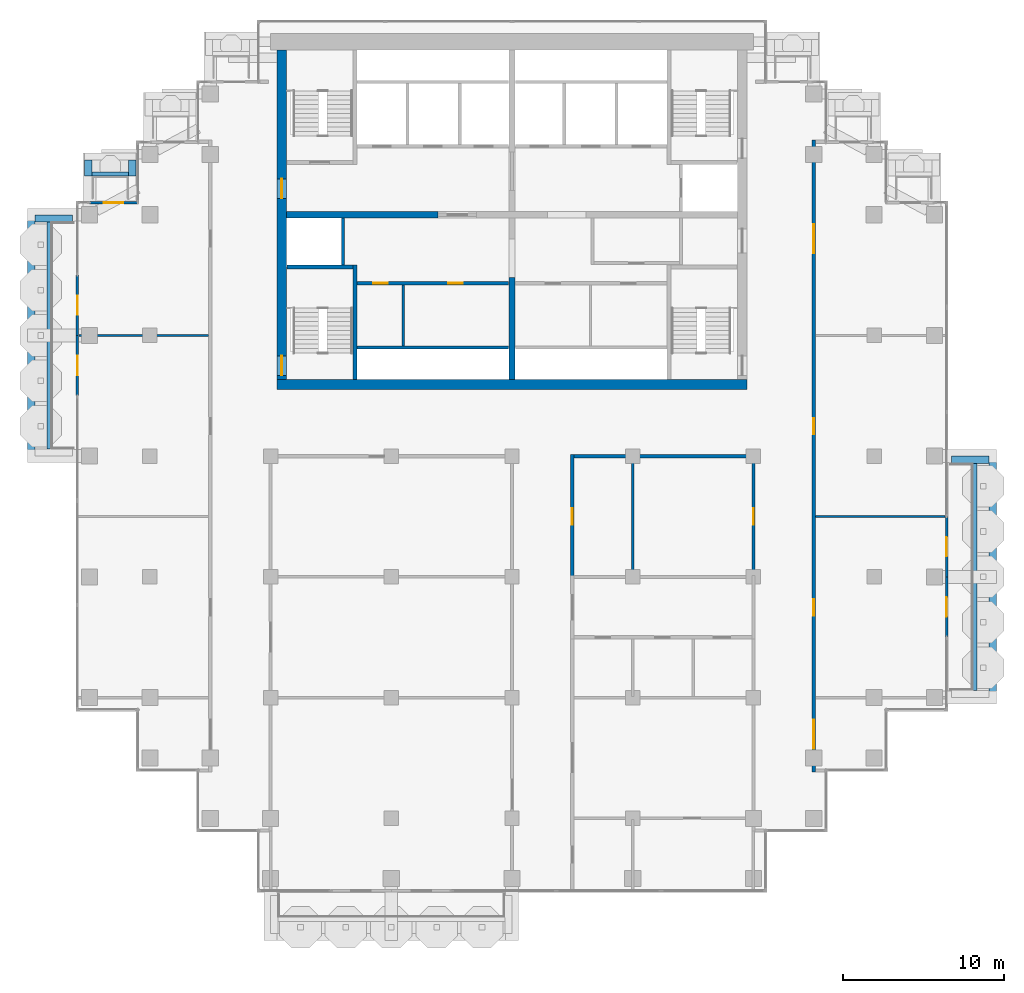
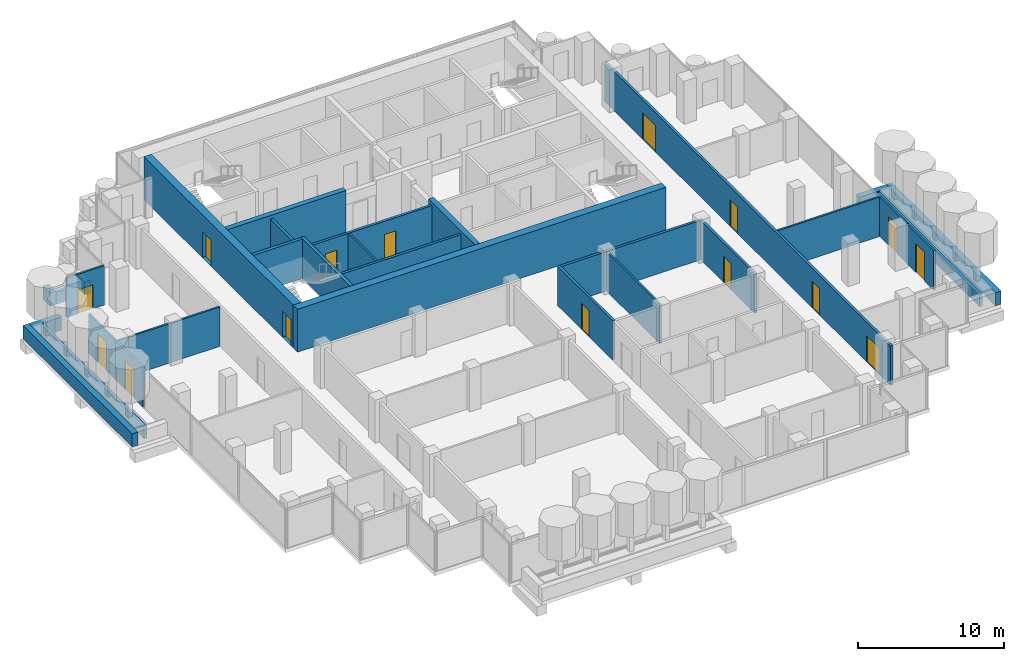
# One storey, part 12 of 18: 31 walls, 15 doors, 15 openings.
"""IFC4 building model written with IfcOpenShell, lengths in metres."""

from ifc_helpers import new_model, si_unit, direction, frame, frame_2d, origin, place, context, subcontext, project, spatial, rectangle, extrude, material, layer, layer_set, type_object, element, fill, save


model = new_model("IFC4")

# Units and contexts
model_context = context("Model", 3, precision=1e-05, world=origin(), true_north=direction((0.0, 1.0)))
body_context = subcontext(model_context, "Body", "Model", "MODEL_VIEW")
ifc_project = project(units=[si_unit("LENGTHUNIT", "METRE"), si_unit("AREAUNIT", "SQUARE_METRE"), si_unit("VOLUMEUNIT", "CUBIC_METRE"), si_unit("PLANEANGLEUNIT", "RADIAN"), si_unit("MASSUNIT", "GRAM", prefix="KILO")], contexts=[model_context])

# Site, building, storey
site_placement = place(None, origin())
site = spatial("IfcSite", under=ifc_project, at=site_placement, CompositionType="ELEMENT")
building_placement = place(site_placement, origin())
building = spatial("IfcBuilding", under=site, at=building_placement, Name="Pilkhan Gate Tower", CompositionType="ELEMENT")
storey_placement = place(building_placement, frame((0.0, 0.0, 221.10009765625)))
storey = spatial("IfcBuildingStorey", under=building, at=storey_placement, Name="L57", CompositionType="ELEMENT", Elevation=221.10009765625)

# Walls
ifc_material_1 = material(Name="Concrete C40/50", Category="concrete")
ifc_layer_1 = layer(ifc_material_1, 0.25)
ifc_layer_set_1 = layer_set([ifc_layer_1], Name="Balcony planter BP250")
wall_type_1 = type_object("IfcWallType", Name="Balcony planter BP250", PredefinedType="USERDEFINED", material=ifc_layer_set_1)
wall_1_placement = place(storey_placement, frame((103.77490234375, 52.949951171875, 0.0), z_axis=(0.0, 0.0, 1.0), x_axis=(0.0, 1.0, 0.0)))
element("IfcWall", 1, at=wall_1_placement, inside=storey, type_object=wall_type_1, Name="Balcony planter L57 E", ObjectType="BALCONY PLANTER", PredefinedType="USERDEFINED", context=body_context, shape_type="SweptSolid", body=[
    extrude(rectangle(XDim=14.10009765625, YDim=0.25, at=frame_2d((7.050048828125, 0.0))), origin(), (0.0, 0.0, 1.0), 1.0),
])
wall_2_placement = place(storey_placement, frame((48.89990234375, 85.02490234375, 0.0), z_axis=(0.0, 0.0, 1.0), x_axis=(1.0, 0.0, 0.0)))
element("IfcWall", 2, at=wall_2_placement, inside=storey, type_object=wall_type_1, Name="Balcony planter L57 N", ObjectType="BALCONY PLANTER", PredefinedType="USERDEFINED", context=body_context, shape_type="SweptSolid", body=[
    extrude(rectangle(XDim=2.280029296875, YDim=0.25, at=frame_2d((1.14013671875, 0.0))), origin(), (0.0, 0.0, 1.0), 1.0),
])
wall_3_placement = place(storey_placement, frame((46.22509765625, 67.949951171875, 0.0), z_axis=(0.0, 0.0, 1.0), x_axis=(0.0, 1.0, 0.0)))
element("IfcWall", 3, at=wall_3_placement, inside=storey, type_object=wall_type_1, Name="Balcony planter L57 W", ObjectType="BALCONY PLANTER", PredefinedType="USERDEFINED", context=body_context, shape_type="SweptSolid", body=[
    extrude(rectangle(XDim=14.10009765625, YDim=0.25, at=frame_2d((7.050048828125, 0.0))), origin(), (0.0, 0.0, 1.0), 1.0),
])
ifc_material_2 = material(Name="Board-marked Concrete C40/50", Category="concrete")
ifc_layer_2 = layer(ifc_material_2, 0.449951171875)
ifc_layer_set_2 = layer_set([ifc_layer_2], Name="Balcony planter lip BL450")
wall_type_2 = type_object("IfcWallType", Name="Balcony planter lip BL450", PredefinedType="USERDEFINED", material=ifc_layer_set_2)
wall_4_placement = place(storey_placement, frame((104.875, 52.5, 0.0), z_axis=(0.0, 0.0, 1.0), x_axis=(0.0, 1.0, 0.0)))
element("IfcWall", 4, at=wall_4_placement, inside=storey, type_object=wall_type_2, Name="Balcony planter L57 E", ObjectType="BALCONY PLANTER", PredefinedType="USERDEFINED", context=body_context, shape_type="SweptSolid", body=[
    extrude(rectangle(XDim=15.0, YDim=0.449951171875, at=frame_2d((7.5, 0.0))), origin(), (0.0, 0.0, 1.0), 1.099853515625),
])
wall_5_placement = place(storey_placement, frame((102.300048828125, 67.27490234375, 0.0), z_axis=(0.0, 0.0, 1.0), x_axis=(1.0, 0.0, 0.0)))
element("IfcWall", 5, at=wall_5_placement, inside=storey, type_object=wall_type_2, Name="Balcony planter L57 E", ObjectType="BALCONY PLANTER", PredefinedType="USERDEFINED", context=body_context, shape_type="SweptSolid", body=[
    extrude(rectangle(XDim=2.349853515625, YDim=0.449951171875, at=frame_2d((1.1748046875, 0.0))), origin(), (0.0, 0.0, 1.0), 1.099853515625),
])
for number, where, z_axis, x_axis, name in (
    (6, (48.675048828125, 84.89990234375, 0.0), (0.0, 0.0, 1.0), (0.0, 1.0, 0.0), "Balcony planter L57 N"),
    (7, (51.405029296875, 84.89990234375, 0.0), (0.0, 0.0, 1.0), (0.0, 1.0, 0.0), "Balcony planter L57 N"),
):
    element("IfcWall", number, at=place(storey_placement, frame(where, z_axis=z_axis, x_axis=x_axis)), inside=storey, type_object=wall_type_2, Name=name, ObjectType="BALCONY PLANTER", PredefinedType="USERDEFINED", context=body_context, shape_type="SweptSolid", body=[
        extrude(rectangle(XDim=1.0, YDim=0.449951171875, at=frame_2d((0.5, 0.0))), origin(), (0.0, 0.0, 1.0), 1.099853515625),
    ])
wall_6_placement = place(storey_placement, frame((45.125, 67.5, 0.0), z_axis=(0.0, 0.0, 1.0), x_axis=(0.0, 1.0, 0.0)))
element("IfcWall", 8, at=wall_6_placement, inside=storey, type_object=wall_type_2, Name="Balcony planter L57 W", ObjectType="BALCONY PLANTER", PredefinedType="USERDEFINED", context=body_context, shape_type="SweptSolid", body=[
    extrude(rectangle(XDim=15.0, YDim=0.449951171875, at=frame_2d((7.5, 0.0))), origin(), (0.0, 0.0, 1.0), 1.099853515625),
])
wall_7_placement = place(storey_placement, frame((47.699951171875, 82.27490234375, 0.0), z_axis=(0.0, 0.0, 1.0), x_axis=(-1.0, 0.0, 0.0)))
element("IfcWall", 9, at=wall_7_placement, inside=storey, type_object=wall_type_2, Name="Balcony planter L57 W", ObjectType="BALCONY PLANTER", PredefinedType="USERDEFINED", context=body_context, shape_type="SweptSolid", body=[
    extrude(rectangle(XDim=2.349853515625, YDim=0.449951171875, at=frame_2d((1.1748046875, 0.0))), origin(), (0.0, 0.0, 1.0), 1.099853515625),
])
ifc_material_3 = material(Name="Concrete C50/60", Category="concrete")
ifc_layer_3 = layer(ifc_material_3, 0.60009765625)
ifc_layer_set_3 = layer_set([ifc_layer_3], Name="Core wall CW600 C50/60")
wall_type_3 = type_object("IfcWallType", Name="Core wall CW600 C50/60", PredefinedType="SHEAR", material=ifc_layer_set_3)
wall_8_placement = place(storey_placement, frame((60.39990234375, 71.949951171875, 0.0), z_axis=(0.0, 0.0, 1.0), x_axis=(1.0, 0.0, 0.0)))
element("IfcWall", 10, at=wall_8_placement, inside=storey, type_object=wall_type_3, Name="Core wall S L57", PredefinedType="SHEAR", context=body_context, shape_type="SweptSolid", body=[
    extrude(rectangle(XDim=29.2001953125, YDim=0.60009765625, at=frame_2d((14.60009765625, 0.0))), origin(), (0.0, 0.0, 1.0), 3.599853515625),
])

# Wall, openings, doors
wall_9_placement = place(storey_placement, frame((60.699951171875, 92.75, 0.0), z_axis=(0.0, 0.0, 1.0), x_axis=(0.0, -1.0, 0.0)))
wall_9 = element("IfcWall", 11, at=wall_9_placement, inside=storey, type_object=wall_type_3, Name="Core wall W L57", PredefinedType="SHEAR", context=body_context, shape_type="SweptSolid", body=[
    extrude(rectangle(XDim=20.5, YDim=0.60009765625, at=frame_2d((10.25, 0.0))), origin(), (0.0, 0.0, 1.0), 3.599853515625),
])
opening_1_placement = place(wall_9_placement, frame((19.02490234375, 0.0, 0.0)))
opening_1 = element("IfcOpeningElement", 12, at=opening_1_placement, cuts=wall_9, Name="Opening L57-04", PredefinedType="OPENING", context=body_context, shape_type="SweptSolid", body=[
    extrude(rectangle(XDim=1.199951171875, YDim=2.199951171875, at=frame_2d((0.60009765625, 1.10009765625))), frame((0.0, 0.31005859375, 0.0), z_axis=(0.0, -1.0, 0.0), x_axis=(1.0, 0.0, 0.0)), (0.0, 0.0, 1.0), 0.6201171875),
])
opening_2_placement = place(wall_9_placement, frame((8.02490234375, 0.0, 0.0)))
opening_2 = element("IfcOpeningElement", 13, at=opening_2_placement, cuts=wall_9, Name="Opening L57-08", PredefinedType="OPENING", context=body_context, shape_type="SweptSolid", body=[
    extrude(rectangle(XDim=1.199951171875, YDim=2.199951171875, at=frame_2d((0.60009765625, 1.10009765625))), frame((0.0, 0.31005859375, 0.0), z_axis=(0.0, -1.0, 0.0), x_axis=(1.0, 0.0, 0.0)), (0.0, 0.0, 1.0), 0.6201171875),
])
ifc_material_4 = material(Name="Steel door, 120 minute fire resisting, self-closing", Category="steel")
door_type_1 = type_object("IfcDoorType", Name="Firefighting lobby door D10 1200x2200", OperationType="SINGLE_SWING_LEFT", PredefinedType="DOOR", material=ifc_material_4)
door_1_placement = place(opening_2_placement, origin())
door_1 = element("IfcDoor", 14, at=door_1_placement, inside=storey, type_object=door_type_1, Name="Core door", OperationType="SINGLE_SWING_LEFT", OverallHeight=2.199951171875, OverallWidth=1.199951171875, PredefinedType="DOOR", context=body_context, shape_type="SweptSolid", body=[
    extrude(rectangle(XDim=1.199951171875, YDim=2.199951171875, at=frame_2d((0.60009765625, 1.10009765625))), frame((0.0, 0.02490234375, 0.0), z_axis=(0.0, -1.0, 0.0), x_axis=(1.0, 0.0, 0.0)), (0.0, 0.0, 1.0), 0.050048828125),
])
fill(opening_2, door_1)
ifc_material_5 = material(Name="Steel door, 120 minute fire resisting, panic bar", Category="steel")
door_type_2 = type_object("IfcDoorType", Name="Stair door D11 1200x2200", OperationType="SINGLE_SWING_LEFT", PredefinedType="DOOR", material=ifc_material_5)
door_2_placement = place(opening_1_placement, origin())
door_2 = element("IfcDoor", 15, at=door_2_placement, inside=storey, type_object=door_type_2, Name="Stair ST2 door", OperationType="SINGLE_SWING_LEFT", OverallHeight=2.199951171875, OverallWidth=1.199951171875, PredefinedType="DOOR", context=body_context, shape_type="SweptSolid", body=[
    extrude(rectangle(XDim=1.199951171875, YDim=2.199951171875, at=frame_2d((0.60009765625, 1.10009765625))), frame((0.0, 0.02490234375, 0.0), z_axis=(0.0, -1.0, 0.0), x_axis=(1.0, 0.0, 0.0)), (0.0, 0.0, 1.0), 0.050048828125),
])
fill(opening_1, door_2)

# Wall
ifc_material_6 = material(Name="Dense blockwork", Category="masonry")
ifc_layer_4 = layer(ifc_material_6, 0.199951171875)
ifc_layer_set_4 = layer_set([ifc_layer_4], Name="Corridor wall FW200")
wall_type_4 = type_object("IfcWallType", Name="Corridor wall FW200", PredefinedType="PARTITIONING", material=ifc_layer_set_4)
wall_10_placement = place(storey_placement, frame((78.85009765625, 67.5, 0.0), z_axis=(0.0, 0.0, 1.0), x_axis=(1.0, 0.0, 0.0)))
element("IfcWall", 16, at=wall_10_placement, inside=storey, type_object=wall_type_4, Name="Partition L57", PredefinedType="PARTITIONING", context=body_context, shape_type="SweptSolid", body=[
    extrude(rectangle(XDim=11.0498046875, YDim=0.199951171875, at=frame_2d((5.52490234375, 0.0))), origin(), (0.0, 0.0, 1.0), 3.2998046875),
])

# Wall, opening, door
wall_11_placement = place(storey_placement, frame((78.75, 60.0, 0.0), z_axis=(0.0, 0.0, 1.0), x_axis=(0.0, 1.0, 0.0)))
wall_11 = element("IfcWall", 17, at=wall_11_placement, inside=storey, type_object=wall_type_4, Name="Partition L57", PredefinedType="PARTITIONING", context=body_context, shape_type="SweptSolid", body=[
    extrude(rectangle(XDim=7.60009765625, YDim=0.199951171875, at=frame_2d((3.800048828125, 0.0))), origin(), (0.0, 0.0, 1.0), 3.2998046875),
])
opening_3_placement = place(wall_11_placement, frame((3.25, 0.0, 0.0)))
opening_3 = element("IfcOpeningElement", 18, at=opening_3_placement, cuts=wall_11, Name="Opening L57-23", PredefinedType="OPENING", context=body_context, shape_type="SweptSolid", body=[
    extrude(rectangle(XDim=1.0, YDim=2.199951171875, at=frame_2d((0.5, 1.10009765625))), frame((0.0, 0.10986328125, 0.0), z_axis=(0.0, -1.0, 0.0), x_axis=(1.0, 0.0, 0.0)), (0.0, 0.0, 1.0), 0.219970703125),
])
ifc_material_7 = material(Name="Timber flush door, 30 minute fire resisting", Category="wood")
door_type_3 = type_object("IfcDoorType", Name="Room door D03 1000x2200", OperationType="SINGLE_SWING_LEFT", PredefinedType="DOOR", material=ifc_material_7)
door_3_placement = place(opening_3_placement, origin())
door_3 = element("IfcDoor", 19, at=door_3_placement, inside=storey, type_object=door_type_3, Name="Room door", OperationType="SINGLE_SWING_LEFT", OverallHeight=2.199951171875, OverallWidth=1.0, PredefinedType="DOOR", context=body_context, shape_type="SweptSolid", body=[
    extrude(rectangle(XDim=1.0, YDim=2.199951171875, at=frame_2d((0.5, 1.10009765625))), frame((0.0, 0.02490234375, 0.0), z_axis=(0.0, -1.0, 0.0), x_axis=(1.0, 0.0, 0.0)), (0.0, 0.0, 1.0), 0.050048828125),
])
fill(opening_3, door_3)

wall_12_placement = place(storey_placement, frame((90.0, 60.0, 0.0), z_axis=(0.0, 0.0, 1.0), x_axis=(0.0, 1.0, 0.0)))
wall_12 = element("IfcWall", 20, at=wall_12_placement, inside=storey, type_object=wall_type_4, Name="Partition L57", PredefinedType="PARTITIONING", context=body_context, shape_type="SweptSolid", body=[
    extrude(rectangle(XDim=7.60009765625, YDim=0.199951171875, at=frame_2d((3.800048828125, 0.0))), origin(), (0.0, 0.0, 1.0), 3.2998046875),
])
opening_4_placement = place(wall_12_placement, frame((3.25, 0.0, 0.0)))
opening_4 = element("IfcOpeningElement", 21, at=opening_4_placement, cuts=wall_12, Name="Opening L57-24", PredefinedType="OPENING", context=body_context, shape_type="SweptSolid", body=[
    extrude(rectangle(XDim=1.0, YDim=2.199951171875, at=frame_2d((0.5, 1.10009765625))), frame((0.0, 0.10986328125, 0.0), z_axis=(0.0, -1.0, 0.0), x_axis=(1.0, 0.0, 0.0)), (0.0, 0.0, 1.0), 0.219970703125),
])
door_4_placement = place(opening_4_placement, origin())
door_4 = element("IfcDoor", 22, at=door_4_placement, inside=storey, type_object=door_type_3, Name="Room door", OperationType="SINGLE_SWING_LEFT", OverallHeight=2.199951171875, OverallWidth=1.0, PredefinedType="DOOR", context=body_context, shape_type="SweptSolid", body=[
    extrude(rectangle(XDim=1.0, YDim=2.199951171875, at=frame_2d((0.5, 1.10009765625))), frame((0.0, 0.02490234375, 0.0), z_axis=(0.0, -1.0, 0.0), x_axis=(1.0, 0.0, 0.0)), (0.0, 0.0, 1.0), 0.050048828125),
])
fill(opening_4, door_4)

# Wall, openings, doors
wall_13_placement = place(storey_placement, frame((93.75, 47.8701171875, 0.0), z_axis=(0.0, 0.0, 1.0), x_axis=(0.0, 1.0, 0.0)))
wall_13 = element("IfcWall", 23, at=wall_13_placement, inside=storey, type_object=wall_type_4, Name="Partition L57", PredefinedType="PARTITIONING", context=body_context, shape_type="SweptSolid", body=[
    extrude(rectangle(XDim=39.259765625, YDim=0.199951171875, at=frame_2d((19.6298828125, 0.0))), origin(), (0.0, 0.0, 1.0), 3.2998046875),
])
opening_5_placement = place(wall_13_placement, frame((1.449951171875, 0.0, 0.0)))
opening_5 = element("IfcOpeningElement", 24, at=opening_5_placement, cuts=wall_13, Name="Opening L57-28", PredefinedType="OPENING", context=body_context, shape_type="SweptSolid", body=[
    extrude(rectangle(XDim=1.800048828125, YDim=2.199951171875, at=frame_2d((0.89990234375, 1.10009765625))), frame((0.0, 0.10986328125, 0.0), z_axis=(0.0, -1.0, 0.0), x_axis=(1.0, 0.0, 0.0)), (0.0, 0.0, 1.0), 0.219970703125),
])
opening_6_placement = place(wall_13_placement, frame((9.72998046875, 0.0, 0.0)))
opening_6 = element("IfcOpeningElement", 25, at=opening_6_placement, cuts=wall_13, Name="Opening L57-29", PredefinedType="OPENING", context=body_context, shape_type="SweptSolid", body=[
    extrude(rectangle(XDim=1.0, YDim=2.199951171875, at=frame_2d((0.5, 1.10009765625))), frame((0.0, 0.10986328125, 0.0), z_axis=(0.0, -1.0, 0.0), x_axis=(1.0, 0.0, 0.0)), (0.0, 0.0, 1.0), 0.219970703125),
])
opening_7_placement = place(wall_13_placement, frame((20.97998046875, 0.0, 0.0)))
opening_7 = element("IfcOpeningElement", 26, at=opening_7_placement, cuts=wall_13, Name="Opening L57-30", PredefinedType="OPENING", context=body_context, shape_type="SweptSolid", body=[
    extrude(rectangle(XDim=1.0, YDim=2.199951171875, at=frame_2d((0.5, 1.10009765625))), frame((0.0, 0.10986328125, 0.0), z_axis=(0.0, -1.0, 0.0), x_axis=(1.0, 0.0, 0.0)), (0.0, 0.0, 1.0), 0.219970703125),
])
opening_8_placement = place(wall_13_placement, frame((32.22998046875, 0.0, 0.0)))
opening_8 = element("IfcOpeningElement", 27, at=opening_8_placement, cuts=wall_13, Name="Opening L57-32", PredefinedType="OPENING", context=body_context, shape_type="SweptSolid", body=[
    extrude(rectangle(XDim=1.800048828125, YDim=2.199951171875, at=frame_2d((0.89990234375, 1.10009765625))), frame((0.0, 0.10986328125, 0.0), z_axis=(0.0, -1.0, 0.0), x_axis=(1.0, 0.0, 0.0)), (0.0, 0.0, 1.0), 0.219970703125),
])
ifc_material_8 = material(Name="Timber glazed double door, 30 minute fire resisting", Category="wood")
door_type_4 = type_object("IfcDoorType", Name="Double door D04 1800x2200", OperationType="DOUBLE_DOOR_SINGLE_SWING", PredefinedType="DOOR", material=ifc_material_8)
door_5_placement = place(opening_5_placement, origin())
door_5 = element("IfcDoor", 28, at=door_5_placement, inside=storey, type_object=door_type_4, Name="Double door", OperationType="DOUBLE_DOOR_SINGLE_SWING", OverallHeight=2.199951171875, OverallWidth=1.800048828125, PredefinedType="DOOR", context=body_context, shape_type="SweptSolid", body=[
    extrude(rectangle(XDim=1.800048828125, YDim=2.199951171875, at=frame_2d((0.89990234375, 1.10009765625))), frame((0.0, 0.02490234375, 0.0), z_axis=(0.0, -1.0, 0.0), x_axis=(1.0, 0.0, 0.0)), (0.0, 0.0, 1.0), 0.050048828125),
])
fill(opening_5, door_5)
door_6_placement = place(opening_8_placement, origin())
door_6 = element("IfcDoor", 29, at=door_6_placement, inside=storey, type_object=door_type_4, Name="Double door", OperationType="DOUBLE_DOOR_SINGLE_SWING", OverallHeight=2.199951171875, OverallWidth=1.800048828125, PredefinedType="DOOR", context=body_context, shape_type="SweptSolid", body=[
    extrude(rectangle(XDim=1.800048828125, YDim=2.199951171875, at=frame_2d((0.89990234375, 1.10009765625))), frame((0.0, 0.02490234375, 0.0), z_axis=(0.0, -1.0, 0.0), x_axis=(1.0, 0.0, 0.0)), (0.0, 0.0, 1.0), 0.050048828125),
])
fill(opening_8, door_6)
door_7_placement = place(opening_6_placement, origin())
door_7 = element("IfcDoor", 30, at=door_7_placement, inside=storey, type_object=door_type_3, Name="Room door", OperationType="SINGLE_SWING_RIGHT", OverallHeight=2.199951171875, OverallWidth=1.0, PredefinedType="DOOR", context=body_context, shape_type="SweptSolid", body=[
    extrude(rectangle(XDim=1.0, YDim=2.199951171875, at=frame_2d((0.5, 1.10009765625))), frame((0.0, 0.02490234375, 0.0), z_axis=(0.0, -1.0, 0.0), x_axis=(1.0, 0.0, 0.0)), (0.0, 0.0, 1.0), 0.050048828125),
])
fill(opening_6, door_7)
door_8_placement = place(opening_7_placement, origin())
door_8 = element("IfcDoor", 31, at=door_8_placement, inside=storey, type_object=door_type_3, Name="Room door", OperationType="SINGLE_SWING_RIGHT", OverallHeight=2.199951171875, OverallWidth=1.0, PredefinedType="DOOR", context=body_context, shape_type="SweptSolid", body=[
    extrude(rectangle(XDim=1.0, YDim=2.199951171875, at=frame_2d((0.5, 1.10009765625))), frame((0.0, 0.02490234375, 0.0), z_axis=(0.0, -1.0, 0.0), x_axis=(1.0, 0.0, 0.0)), (0.0, 0.0, 1.0), 0.050048828125),
])
fill(opening_7, door_8)

# Wall, opening, door
ifc_material_9 = material(Name="Pale anodised aluminium, clear laminated glazing", Category="aluminium")
ifc_layer_5 = layer(ifc_material_9, 0.14990234375)
ifc_layer_set_5 = layer_set([ifc_layer_5], Name="Facade infill wall IW150")
wall_type_5 = type_object("IfcWallType", Name="Facade infill wall IW150", PredefinedType="SOLIDWALL", material=ifc_layer_set_5)
wall_14_placement = place(storey_placement, frame((102.0, 56.25, 0.0), z_axis=(0.0, 0.0, 1.0), x_axis=(0.0, 1.0, 0.0)))
wall_14 = element("IfcWall", 32, at=wall_14_placement, inside=storey, type_object=wall_type_5, Name="Infill wall L57 E", PredefinedType="SOLIDWALL", context=body_context, shape_type="SweptSolid", body=[
    extrude(rectangle(XDim=3.75, YDim=0.14990234375, at=frame_2d((1.875, 0.0))), origin(), (0.0, 0.0, 1.0), 3.2998046875),
])
opening_9_placement = place(wall_14_placement, frame((1.27490234375, 0.0, 0.0)))
opening_9 = element("IfcOpeningElement", 33, at=opening_9_placement, cuts=wall_14, Name="Opening D1", PredefinedType="OPENING", context=body_context, shape_type="SweptSolid", body=[
    extrude(rectangle(XDim=1.199951171875, YDim=2.39990234375, at=frame_2d((0.60009765625, 1.199951171875))), frame((0.0, 0.0849609375, 0.0), z_axis=(0.0, -1.0, 0.0), x_axis=(1.0, 0.0, 0.0)), (0.0, 0.0, 1.0), 0.169921875),
])
ifc_material_10 = material(Name="Pale anodised aluminium, clear glazing", Category="aluminium")
door_type_5 = type_object("IfcDoorType", Name="Balcony door D1 1200x2400", OperationType="SINGLE_SWING_LEFT", PredefinedType="DOOR", material=ifc_material_10)
door_9_placement = place(opening_9_placement, origin())
door_9 = element("IfcDoor", 34, at=door_9_placement, inside=storey, type_object=door_type_5, Name="Balcony door L57", OperationType="SINGLE_SWING_LEFT", OverallHeight=2.39990234375, OverallWidth=1.199951171875, PredefinedType="DOOR", context=body_context, shape_type="SweptSolid", body=[
    extrude(rectangle(XDim=1.199951171875, YDim=2.39990234375, at=frame_2d((0.60009765625, 1.199951171875))), frame((0.0, 0.02490234375, 0.0), z_axis=(0.0, -1.0, 0.0), x_axis=(1.0, 0.0, 0.0)), (0.0, 0.0, 1.0), 0.050048828125),
])
fill(opening_9, door_9)

wall_15_placement = place(storey_placement, frame((102.0, 60.0, 0.0), z_axis=(0.0, 0.0, 1.0), x_axis=(0.0, 1.0, 0.0)))
wall_15 = element("IfcWall", 35, at=wall_15_placement, inside=storey, type_object=wall_type_5, Name="Infill wall L57 E", PredefinedType="SOLIDWALL", context=body_context, shape_type="SweptSolid", body=[
    extrude(rectangle(XDim=3.75, YDim=0.14990234375, at=frame_2d((1.875, 0.0))), origin(), (0.0, 0.0, 1.0), 3.2998046875),
])
opening_10_placement = place(wall_15_placement, frame((1.27490234375, 0.0, 0.0)))
opening_10 = element("IfcOpeningElement", 36, at=opening_10_placement, cuts=wall_15, Name="Opening D1", PredefinedType="OPENING", context=body_context, shape_type="SweptSolid", body=[
    extrude(rectangle(XDim=1.199951171875, YDim=2.39990234375, at=frame_2d((0.60009765625, 1.199951171875))), frame((0.0, 0.0849609375, 0.0), z_axis=(0.0, -1.0, 0.0), x_axis=(1.0, 0.0, 0.0)), (0.0, 0.0, 1.0), 0.169921875),
])
door_10_placement = place(opening_10_placement, origin())
door_10 = element("IfcDoor", 37, at=door_10_placement, inside=storey, type_object=door_type_5, Name="Balcony door L57", OperationType="SINGLE_SWING_LEFT", OverallHeight=2.39990234375, OverallWidth=1.199951171875, PredefinedType="DOOR", context=body_context, shape_type="SweptSolid", body=[
    extrude(rectangle(XDim=1.199951171875, YDim=2.39990234375, at=frame_2d((0.60009765625, 1.199951171875))), frame((0.0, 0.02490234375, 0.0), z_axis=(0.0, -1.0, 0.0), x_axis=(1.0, 0.0, 0.0)), (0.0, 0.0, 1.0), 0.050048828125),
])
fill(opening_10, door_10)

wall_16_placement = place(storey_placement, frame((48.75, 83.25, 0.0), z_axis=(0.0, 0.0, 1.0), x_axis=(1.0, 0.0, 0.0)))
wall_16 = element("IfcWall", 38, at=wall_16_placement, inside=storey, type_object=wall_type_5, Name="Infill wall L57 N", PredefinedType="SOLIDWALL", context=body_context, shape_type="SweptSolid", body=[
    extrude(rectangle(XDim=3.0, YDim=0.14990234375, at=frame_2d((1.5, 0.0))), origin(), (0.0, 0.0, 1.0), 3.2998046875),
])
opening_11_placement = place(wall_16_placement, frame((0.89990234375, 0.0, 0.0)))
opening_11 = element("IfcOpeningElement", 39, at=opening_11_placement, cuts=wall_16, Name="Opening D1L", PredefinedType="OPENING", context=body_context, shape_type="SweptSolid", body=[
    extrude(rectangle(XDim=1.199951171875, YDim=2.0, at=frame_2d((0.60009765625, 1.0))), frame((0.0, 0.0849609375, 0.0), z_axis=(0.0, -1.0, 0.0), x_axis=(1.0, 0.0, 0.0)), (0.0, 0.0, 1.0), 0.169921875),
])
door_type_6 = type_object("IfcDoorType", Name="Balcony door D1L 1200x2000", OperationType="SINGLE_SWING_LEFT", PredefinedType="DOOR", material=ifc_material_10)
door_11_placement = place(opening_11_placement, origin())
door_11 = element("IfcDoor", 40, at=door_11_placement, inside=storey, type_object=door_type_6, Name="Balcony door L57", OperationType="SINGLE_SWING_LEFT", OverallHeight=2.0, OverallWidth=1.199951171875, PredefinedType="DOOR", context=body_context, shape_type="SweptSolid", body=[
    extrude(rectangle(XDim=1.199951171875, YDim=2.0, at=frame_2d((0.60009765625, 1.0))), frame((0.0, 0.02490234375, 0.0), z_axis=(0.0, -1.0, 0.0), x_axis=(1.0, 0.0, 0.0)), (0.0, 0.0, 1.0), 0.050048828125),
])
fill(opening_11, door_11)

wall_17_placement = place(storey_placement, frame((48.0, 71.25, 0.0), z_axis=(0.0, 0.0, 1.0), x_axis=(0.0, 1.0, 0.0)))
wall_17 = element("IfcWall", 41, at=wall_17_placement, inside=storey, type_object=wall_type_5, Name="Infill wall L57 W", PredefinedType="SOLIDWALL", context=body_context, shape_type="SweptSolid", body=[
    extrude(rectangle(XDim=3.75, YDim=0.14990234375, at=frame_2d((1.875, 0.0))), origin(), (0.0, 0.0, 1.0), 3.2998046875),
])
opening_12_placement = place(wall_17_placement, frame((1.27490234375, 0.0, 0.0)))
opening_12 = element("IfcOpeningElement", 42, at=opening_12_placement, cuts=wall_17, Name="Opening D1", PredefinedType="OPENING", context=body_context, shape_type="SweptSolid", body=[
    extrude(rectangle(XDim=1.199951171875, YDim=2.39990234375, at=frame_2d((0.60009765625, 1.199951171875))), frame((0.0, 0.0849609375, 0.0), z_axis=(0.0, -1.0, 0.0), x_axis=(1.0, 0.0, 0.0)), (0.0, 0.0, 1.0), 0.169921875),
])
door_12_placement = place(opening_12_placement, origin())
door_12 = element("IfcDoor", 43, at=door_12_placement, inside=storey, type_object=door_type_5, Name="Balcony door L57", OperationType="SINGLE_SWING_LEFT", OverallHeight=2.39990234375, OverallWidth=1.199951171875, PredefinedType="DOOR", context=body_context, shape_type="SweptSolid", body=[
    extrude(rectangle(XDim=1.199951171875, YDim=2.39990234375, at=frame_2d((0.60009765625, 1.199951171875))), frame((0.0, 0.02490234375, 0.0), z_axis=(0.0, -1.0, 0.0), x_axis=(1.0, 0.0, 0.0)), (0.0, 0.0, 1.0), 0.050048828125),
])
fill(opening_12, door_12)

wall_18_placement = place(storey_placement, frame((48.0, 75.0, 0.0), z_axis=(0.0, 0.0, 1.0), x_axis=(0.0, 1.0, 0.0)))
wall_18 = element("IfcWall", 44, at=wall_18_placement, inside=storey, type_object=wall_type_5, Name="Infill wall L57 W", PredefinedType="SOLIDWALL", context=body_context, shape_type="SweptSolid", body=[
    extrude(rectangle(XDim=3.75, YDim=0.14990234375, at=frame_2d((1.875, 0.0))), origin(), (0.0, 0.0, 1.0), 3.2998046875),
])
opening_13_placement = place(wall_18_placement, frame((1.27490234375, 0.0, 0.0)))
opening_13 = element("IfcOpeningElement", 45, at=opening_13_placement, cuts=wall_18, Name="Opening D1", PredefinedType="OPENING", context=body_context, shape_type="SweptSolid", body=[
    extrude(rectangle(XDim=1.199951171875, YDim=2.39990234375, at=frame_2d((0.60009765625, 1.199951171875))), frame((0.0, 0.0849609375, 0.0), z_axis=(0.0, -1.0, 0.0), x_axis=(1.0, 0.0, 0.0)), (0.0, 0.0, 1.0), 0.169921875),
])
door_13_placement = place(opening_13_placement, origin())
door_13 = element("IfcDoor", 46, at=door_13_placement, inside=storey, type_object=door_type_5, Name="Balcony door L57", OperationType="SINGLE_SWING_LEFT", OverallHeight=2.39990234375, OverallWidth=1.199951171875, PredefinedType="DOOR", context=body_context, shape_type="SweptSolid", body=[
    extrude(rectangle(XDim=1.199951171875, YDim=2.39990234375, at=frame_2d((0.60009765625, 1.199951171875))), frame((0.0, 0.02490234375, 0.0), z_axis=(0.0, -1.0, 0.0), x_axis=(1.0, 0.0, 0.0)), (0.0, 0.0, 1.0), 0.050048828125),
])
fill(opening_13, door_13)

# Wall
ifc_layer_6 = layer(ifc_material_6, 0.199951171875)
ifc_layer_set_6 = layer_set([ifc_layer_6], Name="Lobby wall LW200")
wall_type_6 = type_object("IfcWallType", Name="Lobby wall LW200", PredefinedType="PARTITIONING", material=ifc_layer_set_6)
wall_19_placement = place(storey_placement, frame((65.375, 74.25, 0.0), z_axis=(0.0, 0.0, 1.0), x_axis=(1.0, 0.0, 0.0)))
element("IfcWall", 47, at=wall_19_placement, inside=storey, type_object=wall_type_6, Name="Partition L57", PredefinedType="PARTITIONING", context=body_context, shape_type="SweptSolid", body=[
    extrude(rectangle(XDim=9.4150390625, YDim=0.199951171875, at=frame_2d((4.70751953125, 0.0))), origin(), (0.0, 0.0, 1.0), 3.2998046875),
])

# Wall, openings, doors
wall_20_placement = place(storey_placement, frame((65.375, 78.25, 0.0), z_axis=(0.0, 0.0, 1.0), x_axis=(1.0, 0.0, 0.0)))
wall_20 = element("IfcWall", 48, at=wall_20_placement, inside=storey, type_object=wall_type_6, Name="Partition L57", PredefinedType="PARTITIONING", context=body_context, shape_type="SweptSolid", body=[
    extrude(rectangle(XDim=9.4150390625, YDim=0.199951171875, at=frame_2d((4.70751953125, 0.0))), origin(), (0.0, 0.0, 1.0), 3.2998046875),
])
opening_14_placement = place(wall_20_placement, frame((1.0, 0.0, 0.0)))
opening_14 = element("IfcOpeningElement", 49, at=opening_14_placement, cuts=wall_20, Name="Opening L57-09", PredefinedType="OPENING", context=body_context, shape_type="SweptSolid", body=[
    extrude(rectangle(XDim=0.89990234375, YDim=2.199951171875, at=frame_2d((0.449951171875, 1.10009765625))), frame((0.0, 0.10986328125, 0.0), z_axis=(0.0, -1.0, 0.0), x_axis=(1.0, 0.0, 0.0)), (0.0, 0.0, 1.0), 0.219970703125),
])
opening_15_placement = place(wall_20_placement, frame((5.6650390625, 0.0, 0.0)))
opening_15 = element("IfcOpeningElement", 50, at=opening_15_placement, cuts=wall_20, Name="Opening L57-10", PredefinedType="OPENING", context=body_context, shape_type="SweptSolid", body=[
    extrude(rectangle(XDim=0.89990234375, YDim=2.199951171875, at=frame_2d((0.449951171875, 1.10009765625))), frame((0.0, 0.10986328125, 0.0), z_axis=(0.0, -1.0, 0.0), x_axis=(1.0, 0.0, 0.0)), (0.0, 0.0, 1.0), 0.219970703125),
])
ifc_material_11 = material(Name="Timber flush door, 60 minute fire resisting, self-closing", Category="wood")
door_type_7 = type_object("IfcDoorType", Name="Store door D05 900x2200", OperationType="SINGLE_SWING_LEFT", PredefinedType="DOOR", material=ifc_material_11)
door_14_placement = place(opening_14_placement, origin())
door_14 = element("IfcDoor", 51, at=door_14_placement, inside=storey, type_object=door_type_7, Name="Store door", OperationType="SINGLE_SWING_LEFT", OverallHeight=2.199951171875, OverallWidth=0.89990234375, PredefinedType="DOOR", context=body_context, shape_type="SweptSolid", body=[
    extrude(rectangle(XDim=0.89990234375, YDim=2.199951171875, at=frame_2d((0.449951171875, 1.10009765625))), frame((0.0, 0.02490234375, 0.0), z_axis=(0.0, -1.0, 0.0), x_axis=(1.0, 0.0, 0.0)), (0.0, 0.0, 1.0), 0.050048828125),
])
fill(opening_14, door_14)
door_15_placement = place(opening_15_placement, origin())
door_15 = element("IfcDoor", 52, at=door_15_placement, inside=storey, type_object=door_type_7, Name="Store door", OperationType="SINGLE_SWING_LEFT", OverallHeight=2.199951171875, OverallWidth=0.89990234375, PredefinedType="DOOR", context=body_context, shape_type="SweptSolid", body=[
    extrude(rectangle(XDim=0.89990234375, YDim=2.199951171875, at=frame_2d((0.449951171875, 1.10009765625))), frame((0.0, 0.02490234375, 0.0), z_axis=(0.0, -1.0, 0.0), x_axis=(1.0, 0.0, 0.0)), (0.0, 0.0, 1.0), 0.050048828125),
])
fill(opening_15, door_15)

# Walls
ifc_material_12 = material(Name="Blockwork partition, plastered both sides", Category="masonry")
ifc_layer_7 = layer(ifc_material_12, 0.14990234375)
ifc_layer_set_7 = layer_set([ifc_layer_7], Name="Partition PW150")
wall_type_7 = type_object("IfcWallType", Name="Partition PW150", PredefinedType="PARTITIONING", material=ifc_layer_set_7)
for number, where, z_axis, x_axis, name in (
    (53, (93.85009765625, 63.75, 0.0), (0.0, 0.0, 1.0), (1.0, 0.0, 0.0), "Partition L57"),
    (54, (48.0849609375, 75.0, 0.0), (0.0, 0.0, 1.0), (1.0, 0.0, 0.0), "Partition L57"),
):
    element("IfcWall", number, at=place(storey_placement, frame(where, z_axis=z_axis, x_axis=x_axis)), inside=storey, type_object=wall_type_7, Name=name, PredefinedType="PARTITIONING", context=body_context, shape_type="SweptSolid", body=[
        extrude(rectangle(XDim=8.06494140625, YDim=0.14990234375, at=frame_2d((4.032470703125, 0.0))), origin(), (0.0, 0.0, 1.0), 3.2998046875),
    ])
wall_21_placement = place(storey_placement, frame((68.239990234375, 74.35009765625, 0.0), z_axis=(0.0, 0.0, 1.0), x_axis=(0.0, 1.0, 0.0)))
element("IfcWall", 55, at=wall_21_placement, inside=storey, type_object=wall_type_7, Name="Partition L57", PredefinedType="PARTITIONING", context=body_context, shape_type="SweptSolid", body=[
    extrude(rectangle(XDim=3.7998046875, YDim=0.14990234375, at=frame_2d((1.89990234375, 0.0))), origin(), (0.0, 0.0, 1.0), 3.2998046875),
])
wall_22_placement = place(storey_placement, frame((82.5, 60.10009765625, 0.0), z_axis=(0.0, 0.0, 1.0), x_axis=(0.0, 1.0, 0.0)))
element("IfcWall", 56, at=wall_22_placement, inside=storey, type_object=wall_type_7, Name="Partition L57", PredefinedType="PARTITIONING", context=body_context, shape_type="SweptSolid", body=[
    extrude(rectangle(XDim=7.2998046875, YDim=0.14990234375, at=frame_2d((3.64990234375, 0.0))), origin(), (0.0, 0.0, 1.0), 3.2998046875),
])
ifc_material_13 = material(Name="Reinforced blockwork shaft wall, 120 minute fire resisting", Category="masonry")
ifc_layer_8 = layer(ifc_material_13, 0.199951171875)
ifc_layer_set_8 = layer_set([ifc_layer_8], Name="Shaft wall SW200")
wall_type_8 = type_object("IfcWallType", Name="Shaft wall SW200", PredefinedType="PARTITIONING", material=ifc_layer_set_8)
wall_23_placement = place(storey_placement, frame((64.5, 79.375, 0.0), z_axis=(0.0, 0.0, 1.0), x_axis=(0.0, 1.0, 0.0)))
element("IfcWall", 57, at=wall_23_placement, inside=storey, type_object=wall_type_8, Name="Partition L57", PredefinedType="PARTITIONING", context=body_context, shape_type="SweptSolid", body=[
    extrude(rectangle(XDim=2.9150390625, YDim=0.199951171875, at=frame_2d((1.45751953125, 0.0))), origin(), (0.0, 0.0, 1.0), 3.2998046875),
])
ifc_layer_9 = layer(ifc_material_3, 0.39990234375)
ifc_layer_set_9 = layer_set([ifc_layer_9], Name="Spine wall SW400 C50/60")
wall_type_9 = type_object("IfcWallType", Name="Spine wall SW400 C50/60", PredefinedType="SHEAR", material=ifc_layer_set_9)
wall_24_placement = place(storey_placement, frame((61.0, 82.5, 0.0), z_axis=(0.0, 0.0, 1.0), x_axis=(1.0, 0.0, 0.0)))
element("IfcWall", 58, at=wall_24_placement, inside=storey, type_object=wall_type_9, Name="Spine wall SP-EW1 L57", PredefinedType="SHEAR", context=body_context, shape_type="SweptSolid", body=[
    extrude(rectangle(XDim=9.39990234375, YDim=0.39990234375, at=frame_2d((4.699951171875, 0.0))), origin(), (0.0, 0.0, 1.0), 3.599853515625),
])
wall_25_placement = place(storey_placement, frame((75.0, 72.25, 0.0), z_axis=(0.0, 0.0, 1.0), x_axis=(0.0, 1.0, 0.0)))
element("IfcWall", 59, at=wall_25_placement, inside=storey, type_object=wall_type_9, Name="Spine wall SP-NS-S1 L57", PredefinedType="SHEAR", context=body_context, shape_type="SweptSolid", body=[
    extrude(rectangle(XDim=6.35009765625, YDim=0.39990234375, at=frame_2d((3.175048828125, 0.0))), origin(), (0.0, 0.0, 1.0), 3.599853515625),
])
ifc_material_14 = material(Name="Reinforced blockwork, 120 minute fire resisting", Category="masonry")
ifc_layer_10 = layer(ifc_material_14, 0.25)
ifc_layer_set_10 = layer_set([ifc_layer_10], Name="Stair enclosure wall SE250")
wall_type_10 = type_object("IfcWallType", Name="Stair enclosure wall SE250", PredefinedType="PARTITIONING", material=ifc_layer_set_10)
wall_26_placement = place(storey_placement, frame((61.010009765625, 79.25, 0.0), z_axis=(0.0, 0.0, 1.0), x_axis=(1.0, 0.0, 0.0)))
element("IfcWall", 60, at=wall_26_placement, inside=storey, type_object=wall_type_10, Name="Partition L57", PredefinedType="PARTITIONING", context=body_context, shape_type="SweptSolid", body=[
    extrude(rectangle(XDim=4.114990234375, YDim=0.25, at=frame_2d((2.0576171875, 0.0))), origin(), (0.0, 0.0, 1.0), 3.2998046875),
])
wall_27_placement = place(storey_placement, frame((65.25, 72.260009765625, 0.0), z_axis=(0.0, 0.0, 1.0), x_axis=(0.0, 1.0, 0.0)))
element("IfcWall", 61, at=wall_27_placement, inside=storey, type_object=wall_type_10, Name="Partition L57", PredefinedType="PARTITIONING", context=body_context, shape_type="SweptSolid", body=[
    extrude(rectangle(XDim=7.114990234375, YDim=0.25, at=frame_2d((3.5576171875, 0.0))), origin(), (0.0, 0.0, 1.0), 3.2998046875),
])

save(model, "model.ifc")
